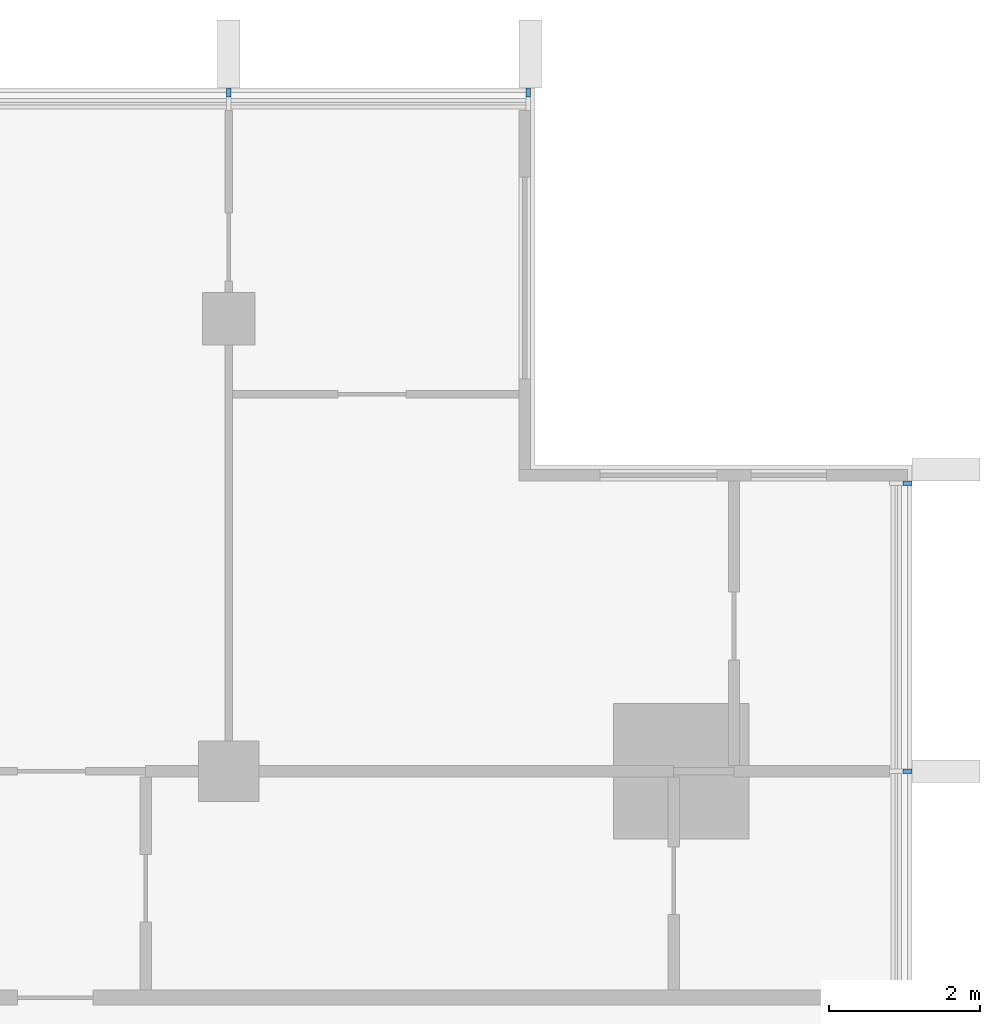
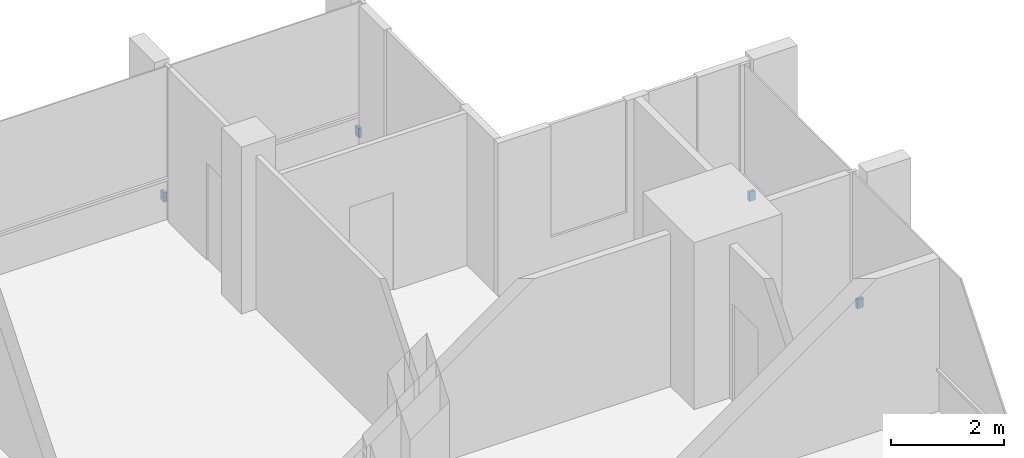
# One storey, part 15 of 16: 4 discrete accessories.
"""IFC4 building model written with IfcOpenShell, lengths in metres."""

from ifc_helpers import new_model, si_unit, direction, frame, origin, origin_2d, place, context, subcontext, project, spatial, rectangle, extrude, material, type_object, element, save


model = new_model("IFC4")

# Units and contexts
model_context = context("Model", 3, precision=1e-05, world=origin(), true_north=direction((0.0, 1.0)))
body_context = subcontext(model_context, "Body", "Model", "MODEL_VIEW")
ifc_project = project(units=[si_unit("LENGTHUNIT", "METRE"), si_unit("AREAUNIT", "SQUARE_METRE"), si_unit("VOLUMEUNIT", "CUBIC_METRE"), si_unit("PLANEANGLEUNIT", "RADIAN"), si_unit("MASSUNIT", "GRAM", prefix="KILO")], contexts=[model_context])

# Site, building, storey
site_placement = place(None, origin())
site = spatial("IfcSite", under=ifc_project, at=site_placement, CompositionType="ELEMENT")
building_placement = place(site_placement, origin())
building = spatial("IfcBuilding", under=site, at=building_placement, Name="Finial Court Residences", CompositionType="ELEMENT")
storey_placement = place(building_placement, frame((0.0, 0.0, 277.10009765625)))
storey = spatial("IfcBuildingStorey", under=building, at=storey_placement, Name="L70", CompositionType="ELEMENT", Elevation=277.10009765625)

# Discrete accessories
ifc_material = material(Name="Stainless steel 316", Category="steel")
discrete_accessory_type = type_object("IfcDiscreteAccessoryType", Name="Fin bracket, stainless steel 60 x 122 x 200", PredefinedType="BRACKET", material=ifc_material)
for number, where, z_axis, x_axis, name in (
    (1, (10.5, 16.498779296875, 0.2998046875), (0.0, 0.0, 1.0), (1.0, 0.0, 0.0), "E-L70-FIN-N5-BRK"),
    (2, (14.469970703125, 16.498779296875, 0.2998046875), (0.0, 0.0, 1.0), (1.0, 0.0, 0.0), "E-L70-FIN-N6-BRK"),
):
    element("IfcDiscreteAccessory", number, at=place(storey_placement, frame(where, z_axis=z_axis, x_axis=x_axis)), inside=storey, type_object=discrete_accessory_type, Name=name, PredefinedType="BRACKET", context=body_context, shape_type="SweptSolid", body=[
        extrude(rectangle(XDim=0.06005859375, YDim=0.12255859375, at=origin_2d()), origin(), (0.0, 0.0, 1.0), 0.199951171875),
    ])
for number, where, z_axis, x_axis, name in (
    (3, (19.498779296875, 7.5, 0.2998046875), (0.0, 0.0, 1.0), (1.0, 0.0, 0.0), "E-L70-FIN-E11-BRK"),
    (4, (19.498779296875, 11.320068359375, 0.2998046875), (0.0, 0.0, 1.0), (1.0, 0.0, 0.0), "E-L70-FIN-E12-BRK"),
):
    element("IfcDiscreteAccessory", number, at=place(storey_placement, frame(where, z_axis=z_axis, x_axis=x_axis)), inside=storey, type_object=discrete_accessory_type, Name=name, PredefinedType="BRACKET", context=body_context, shape_type="SweptSolid", body=[
        extrude(rectangle(XDim=0.12255859375, YDim=0.06005859375, at=origin_2d()), origin(), (0.0, 0.0, 1.0), 0.199951171875),
    ])

save(model, "model.ifc")
